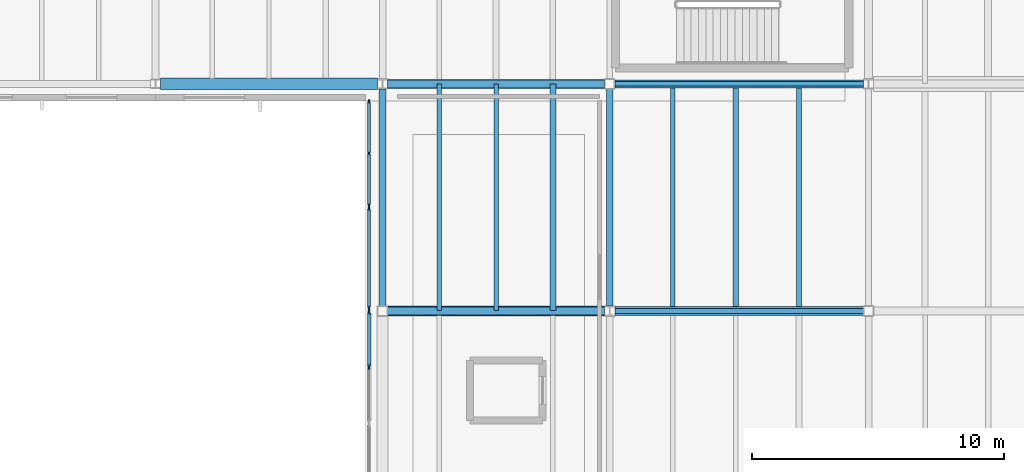
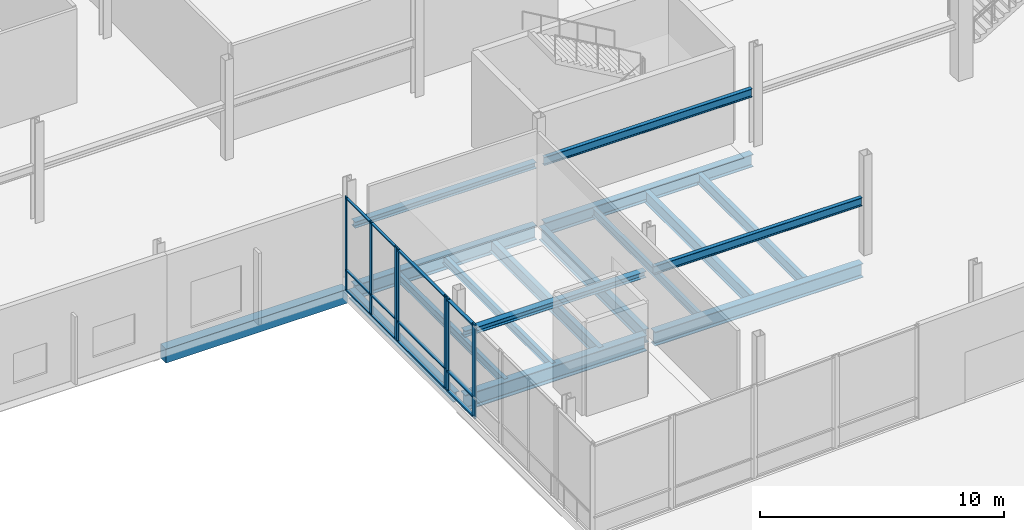
# One storey, part 24 of 88: 19 members, 17 beams, 3 elements without a shape of their own.
"""IFC4 building model written with IfcOpenShell, lengths in metres."""

from ifc_helpers import new_model, si_unit, direction, frame, origin, origin_2d, place, context, subcontext, project, spatial, rectangle, i_section, extrude, material, material_profile, profile_set, type_object, element, aggregate, save


model = new_model("IFC4")

# Units and contexts
model_context = context("Model", 3, precision=1e-05, world=origin(), true_north=direction((0.0, 1.0)))
body_context = subcontext(model_context, "Body", "Model", "MODEL_VIEW")
ifc_project = project(units=[si_unit("LENGTHUNIT", "METRE"), si_unit("AREAUNIT", "SQUARE_METRE"), si_unit("VOLUMEUNIT", "CUBIC_METRE"), si_unit("PLANEANGLEUNIT", "RADIAN"), si_unit("MASSUNIT", "GRAM", prefix="KILO")], contexts=[model_context])

# Site, building, storey
site_placement = place(None, origin())
site = spatial("IfcSite", under=ifc_project, at=site_placement, CompositionType="ELEMENT")
building_placement = place(site_placement, origin())
building = spatial("IfcBuilding", under=site, at=building_placement, Name="Trimount Lyric Opera House", CompositionType="ELEMENT")
storey_placement = place(building_placement, origin())
storey = spatial("IfcBuildingStorey", under=building, at=storey_placement, Name="L00", CompositionType="ELEMENT", Elevation=0.0)

# Beams
ifc_material_1 = material(Name="Steel ASTM A992 Grade 50", Category="steel")
ifc_material_profile_1 = material_profile(ifc_material_1, i_section(OverallWidth=0.382080078125, OverallDepth=0.779052734375, WebThickness=0.01806640625, FlangeThickness=0.0302734375, FilletRadius=0.01904296875, at=origin_2d()), Name="W30X191")
ifc_profile_set_1 = profile_set([ifc_material_profile_1], Name="Steel ASTM A992 Grade 50")
beam_type_1 = type_object("IfcBeamType", Name="B-06", PredefinedType="BEAM", material=ifc_profile_set_1)
beam_1_placement = place(storey_placement, frame((45.203125, 35.0, -0.76953125), z_axis=(1.0, 0.0, 0.0), x_axis=(0.0, 1.0, 0.0)))
element("IfcBeam", 1, at=beam_1_placement, inside=storey, type_object=beam_type_1, Name="L00 girder X-0070", PredefinedType="BEAM", context=body_context, shape_type="SweptSolid", body=[
    extrude(i_section(OverallWidth=0.382080078125, OverallDepth=0.779052734375, WebThickness=0.01806640625, FlangeThickness=0.0302734375, FilletRadius=0.01904296875, at=origin_2d()), origin(), (0.0, 0.0, 1.0), 8.593994140625),
])
ifc_material_2 = material(Name="Steel ASTM A992 Grade 50", Category="steel")
ifc_material_profile_2 = material_profile(ifc_material_2, i_section(OverallWidth=0.35595703125, OverallDepth=0.700927734375, WebThickness=0.016845703125, FlangeThickness=0.02734375, FilletRadius=0.01806640625, at=origin_2d()), Name="W27X161")
ifc_profile_set_2 = profile_set([ifc_material_profile_2], Name="Steel ASTM A992 Grade 50")
beam_type_2 = type_object("IfcBeamType", Name="B-08", PredefinedType="BEAM", material=ifc_profile_set_2)
beam_2_placement = place(storey_placement, frame((54.202880859375, 35.0, -0.73046875), z_axis=(1.0, 0.0, 0.0), x_axis=(0.0, 1.0, 0.0)))
element("IfcBeam", 2, at=beam_2_placement, inside=storey, type_object=beam_type_2, Name="L00 girder X-0071", PredefinedType="BEAM", context=body_context, shape_type="SweptSolid", body=[
    extrude(i_section(OverallWidth=0.35595703125, OverallDepth=0.700927734375, WebThickness=0.016845703125, FlangeThickness=0.02734375, FilletRadius=0.01806640625, at=origin_2d()), origin(), (0.0, 0.0, 1.0), 9.85400390625),
])
beam_3_placement = place(storey_placement, frame((45.202880859375, 44.0, -0.700439453125), z_axis=(1.0, 0.0, 0.0), x_axis=(0.0, 1.0, 0.0)))
element("IfcBeam", 3, at=beam_3_placement, inside=storey, type_object=beam_type_2, Name="L00 girder X-0089", PredefinedType="BEAM", context=body_context, shape_type="SweptSolid", body=[
    extrude(i_section(OverallWidth=0.35595703125, OverallDepth=0.700927734375, WebThickness=0.016845703125, FlangeThickness=0.02734375, FilletRadius=0.01806640625, at=origin_2d()), origin(), (0.0, 0.0, 1.0), 8.593994140625),
])
ifc_material_3 = material(Name="Steel ASTM A992 Grade 50", Category="steel")
ifc_material_profile_3 = material_profile(ifc_material_3, i_section(OverallWidth=0.25390625, OverallDepth=0.68798828125, WebThickness=0.01318359375, FlangeThickness=0.02099609375, FilletRadius=0.01611328125, at=origin_2d()), Name="W27X102")
ifc_profile_set_3 = profile_set([ifc_material_profile_3], Name="Steel ASTM A992 Grade 50")
beam_type_3 = type_object("IfcBeamType", Name="B-09", PredefinedType="BEAM", material=ifc_profile_set_3)
beam_4_placement = place(storey_placement, frame((54.0, 35.20849609375, -0.72412109375), z_axis=(0.0, 1.0, 0.0), x_axis=(-1.0, 0.0, 0.0)))
element("IfcBeam", 4, at=beam_4_placement, inside=storey, type_object=beam_type_3, Name="L00 girder Y-0300", PredefinedType="BEAM", context=body_context, shape_type="SweptSolid", body=[
    extrude(i_section(OverallWidth=0.25390625, OverallDepth=0.68798828125, WebThickness=0.01318359375, FlangeThickness=0.02099609375, FilletRadius=0.01611328125, at=origin_2d()), origin(), (0.0, 0.0, 1.0), 8.58837890625),
])
ifc_material_4 = material(Name="Steel ASTM A992 Grade 50", Category="steel")
ifc_material_profile_4 = material_profile(ifc_material_4, i_section(OverallWidth=0.327880859375, OverallDepth=0.626953125, WebThickness=0.0166015625, FlangeThickness=0.027587890625, FilletRadius=0.01611328125, at=origin_2d()), Name="W24X146")
ifc_profile_set_4 = profile_set([ifc_material_profile_4], Name="Steel ASTM A992 Grade 50")
beam_type_4 = type_object("IfcBeamType", Name="B-10", PredefinedType="BEAM", material=ifc_profile_set_4)
beam_5_placement = place(storey_placement, frame((54.203125, 44.0, -0.693603515625), z_axis=(1.0, 0.0, 0.0), x_axis=(0.0, 1.0, 0.0)))
element("IfcBeam", 5, at=beam_5_placement, inside=storey, type_object=beam_type_4, Name="L00 girder X-0090", PredefinedType="BEAM", context=body_context, shape_type="SweptSolid", body=[
    extrude(i_section(OverallWidth=0.327880859375, OverallDepth=0.626953125, WebThickness=0.0166015625, FlangeThickness=0.027587890625, FilletRadius=0.01611328125, at=origin_2d()), origin(), (0.0, 0.0, 1.0), 9.853759765625),
])
ifc_material_5 = material(Name="Steel ASTM A992 Grade 50", Category="steel")
ifc_material_profile_5 = material_profile(ifc_material_5, i_section(OverallWidth=0.22802734375, OverallDepth=0.60205078125, WebThickness=0.010498046875, FlangeThickness=0.014892578125, FilletRadius=0.012939453125, at=origin_2d()), Name="W24X68")
ifc_profile_set_5 = profile_set([ifc_material_profile_5], Name="Steel ASTM A992 Grade 50")
beam_type_5 = type_object("IfcBeamType", Name="J-01", PredefinedType="BEAM", material=ifc_profile_set_5)
beam_6_placement = place(storey_placement, frame((51.75, 35.011962890625, -0.680908203125), z_axis=(0.0, 1.0, 0.0), x_axis=(-1.0, 0.0, 0.0)))
element("IfcBeam", 6, at=beam_6_placement, inside=storey, type_object=beam_type_5, Name="L00 composite floor joist 0129", PredefinedType="BEAM", context=body_context, shape_type="SweptSolid", body=[
    extrude(i_section(OverallWidth=0.22802734375, OverallDepth=0.60205078125, WebThickness=0.010498046875, FlangeThickness=0.014892578125, FilletRadius=0.012939453125, at=origin_2d()), origin(), (0.0, 0.0, 1.0), 8.97607421875),
])
beam_7_placement = place(storey_placement, frame((59.0, 35.174072265625, -0.680908203125), z_axis=(0.0, 1.0, 0.0), x_axis=(-1.0, 0.0, 0.0)))
element("IfcBeam", 7, at=beam_7_placement, inside=storey, type_object=beam_type_5, Name="L00 composite floor joist 0167", PredefinedType="BEAM", context=body_context, shape_type="SweptSolid", body=[
    extrude(i_section(OverallWidth=0.22802734375, OverallDepth=0.60205078125, WebThickness=0.010498046875, FlangeThickness=0.014892578125, FilletRadius=0.012939453125, at=origin_2d()), origin(), (0.0, 0.0, 1.0), 8.666015625),
])
ifc_material_6 = material(Name="Steel ASTM A992 Grade 50", Category="steel")
ifc_material_profile_6 = material_profile(ifc_material_6, i_section(OverallWidth=0.2099609375, OverallDepth=0.532958984375, WebThickness=0.01025390625, FlangeThickness=0.015625, FilletRadius=0.012939453125, at=origin_2d()), Name="W21X62")
ifc_profile_set_6 = profile_set([ifc_material_profile_6], Name="Steel ASTM A992 Grade 50")
beam_type_6 = type_object("IfcBeamType", Name="J-02", PredefinedType="BEAM", material=ifc_profile_set_6)
beam_8_placement = place(storey_placement, frame((61.5, 35.174072265625, -0.646484375), z_axis=(0.0, 1.0, 0.0), x_axis=(-1.0, 0.0, 0.0)))
element("IfcBeam", 8, at=beam_8_placement, inside=storey, type_object=beam_type_6, Name="L00 composite floor joist 0168", PredefinedType="BEAM", context=body_context, shape_type="SweptSolid", body=[
    extrude(i_section(OverallWidth=0.2099609375, OverallDepth=0.532958984375, WebThickness=0.01025390625, FlangeThickness=0.015625, FilletRadius=0.012939453125, at=origin_2d()), origin(), (0.0, 0.0, 1.0), 8.666015625),
])
ifc_material_7 = material(Name="Steel ASTM A992 Grade 50", Category="steel")
ifc_material_profile_7 = material_profile(ifc_material_7, i_section(OverallWidth=0.180908203125, OverallDepth=0.4169921875, WebThickness=0.010986328125, FlangeThickness=0.018310546875, FilletRadius=0.010986328125, at=origin_2d()), Name="W16X57")
ifc_profile_set_7 = profile_set([ifc_material_profile_7], Name="Steel ASTM A992 Grade 50")
beam_type_7 = type_object("IfcBeamType", Name="J-05", PredefinedType="BEAM", material=ifc_profile_set_7)
beam_9_placement = place(storey_placement, frame((47.25, 35.011962890625, -0.58837890625), z_axis=(0.0, 1.0, 0.0), x_axis=(-1.0, 0.0, 0.0)))
element("IfcBeam", 9, at=beam_9_placement, inside=storey, type_object=beam_type_7, Name="L00 composite floor joist 0127", PredefinedType="BEAM", context=body_context, shape_type="SweptSolid", body=[
    extrude(i_section(OverallWidth=0.180908203125, OverallDepth=0.4169921875, WebThickness=0.010986328125, FlangeThickness=0.018310546875, FilletRadius=0.010986328125, at=origin_2d()), origin(), (0.0, 0.0, 1.0), 8.97607421875),
])
ifc_material_8 = material(Name="Steel ASTM A992 Grade 50", Category="steel")
ifc_material_profile_8 = material_profile(ifc_material_8, i_section(OverallWidth=0.177978515625, OverallDepth=0.404052734375, WebThickness=0.007568359375, FlangeThickness=0.010986328125, FilletRadius=0.010009765625, at=origin_2d()), Name="W16X36")
ifc_profile_set_8 = profile_set([ifc_material_profile_8], Name="Steel ASTM A992 Grade 50")
beam_type_8 = type_object("IfcBeamType", Name="J-06", PredefinedType="BEAM", material=ifc_profile_set_8)
beam_10_placement = place(storey_placement, frame((49.5, 35.011962890625, -0.58203125), z_axis=(0.0, 1.0, 0.0), x_axis=(-1.0, 0.0, 0.0)))
element("IfcBeam", 10, at=beam_10_placement, inside=storey, type_object=beam_type_8, Name="L00 composite floor joist 0128", PredefinedType="BEAM", context=body_context, shape_type="SweptSolid", body=[
    extrude(i_section(OverallWidth=0.177978515625, OverallDepth=0.404052734375, WebThickness=0.007568359375, FlangeThickness=0.010986328125, FilletRadius=0.010009765625, at=origin_2d()), origin(), (0.0, 0.0, 1.0), 8.97607421875),
])
beam_11_placement = place(storey_placement, frame((56.5, 35.174072265625, -0.58203125), z_axis=(0.0, 1.0, 0.0), x_axis=(-1.0, 0.0, 0.0)))
element("IfcBeam", 11, at=beam_11_placement, inside=storey, type_object=beam_type_8, Name="L00 composite floor joist 0166", PredefinedType="BEAM", context=body_context, shape_type="SweptSolid", body=[
    extrude(i_section(OverallWidth=0.177978515625, OverallDepth=0.404052734375, WebThickness=0.007568359375, FlangeThickness=0.010986328125, FilletRadius=0.010009765625, at=origin_2d()), origin(), (0.0, 0.0, 1.0), 8.666015625),
])
ifc_material_9 = material(Name="Steel ASTM A992 Grade 50", Category="steel")
ifc_material_profile_9 = material_profile(ifc_material_9, i_section(OverallWidth=0.304931640625, OverallDepth=0.306884765625, WebThickness=0.010009765625, FlangeThickness=0.015380859375, FilletRadius=0.012939453125, at=origin_2d()), Name="W12X65")
ifc_profile_set_9 = profile_set([ifc_material_profile_9], Name="Steel ASTM A992 Grade 50")
beam_type_9 = type_object("IfcBeamType", Name="LN-01", PredefinedType="LINTEL", material=ifc_profile_set_9)
for number, where, z_axis, x_axis, name in (
    (12, (45.203125, 35.0, 2.64990234375), (1.0, 0.0, 0.0), (0.0, 1.0, 0.0), "L00 interior portal lintel 03"),
    (13, (45.202880859375, 44.0, 2.64990234375), (1.0, 0.0, 0.0), (0.0, 1.0, 0.0), "L00 interior portal lintel 05"),
):
    element("IfcBeam", number, at=place(storey_placement, frame(where, z_axis=z_axis, x_axis=x_axis)), inside=storey, type_object=beam_type_9, Name=name, PredefinedType="LINTEL", context=body_context, shape_type="SweptSolid", body=[
        extrude(i_section(OverallWidth=0.304931640625, OverallDepth=0.306884765625, WebThickness=0.010009765625, FlangeThickness=0.015380859375, FilletRadius=0.012939453125, at=origin_2d()), origin(), (0.0, 0.0, 1.0), 8.593994140625),
    ])
ifc_material_10 = material(Name="Steel ASTM A992 Grade 50", Category="steel")
ifc_material_profile_10 = material_profile(ifc_material_10, i_section(OverallWidth=0.180908203125, OverallDepth=0.4169921875, WebThickness=0.010986328125, FlangeThickness=0.018310546875, FilletRadius=0.010986328125, at=origin_2d()), Name="W16X57")
ifc_profile_set_10 = profile_set([ifc_material_profile_10], Name="Steel ASTM A992 Grade 50")
beam_type_10 = type_object("IfcBeamType", Name="LN-02", PredefinedType="LINTEL", material=ifc_profile_set_10)
beam_12_placement = place(storey_placement, frame((54.202880859375, 35.0, 2.64990234375), z_axis=(1.0, 0.0, 0.0), x_axis=(0.0, 1.0, 0.0)))
element("IfcBeam", 14, at=beam_12_placement, inside=storey, type_object=beam_type_10, Name="L00 interior portal lintel 04", PredefinedType="LINTEL", context=body_context, shape_type="SweptSolid", body=[
    extrude(i_section(OverallWidth=0.180908203125, OverallDepth=0.4169921875, WebThickness=0.010986328125, FlangeThickness=0.018310546875, FilletRadius=0.010986328125, at=origin_2d()), origin(), (0.0, 0.0, 1.0), 9.85400390625),
])
beam_13_placement = place(storey_placement, frame((54.203125, 44.0, 2.64990234375), z_axis=(1.0, 0.0, 0.0), x_axis=(0.0, 1.0, 0.0)))
element("IfcBeam", 15, at=beam_13_placement, inside=storey, type_object=beam_type_10, Name="L00 interior portal lintel 06", PredefinedType="LINTEL", context=body_context, shape_type="SweptSolid", body=[
    extrude(i_section(OverallWidth=0.180908203125, OverallDepth=0.4169921875, WebThickness=0.010986328125, FlangeThickness=0.018310546875, FilletRadius=0.010986328125, at=origin_2d()), origin(), (0.0, 0.0, 1.0), 9.853759765625),
])

# Curtain wall, members
ifc_material_11 = material(Name="Thermally Broken Aluminium and Low-E Glass", Category="aluminium")
curtain_wall_type = type_object("IfcCurtainWallType", Name="CW-01", PredefinedType="NOTDEFINED", material=ifc_material_11)
curtain_wall_1_placement = place(storey_placement, origin())
curtain_wall_1 = element("IfcCurtainWall", 16, at=curtain_wall_1_placement, inside=storey, type_object=curtain_wall_type, Name="L00 curtain wall 030", PredefinedType="NOTDEFINED")
ifc_material_12 = material(Name="Anodised Aluminium 6063-T6", Category="aluminium")
ifc_material_profile_11 = material_profile(ifc_material_12, rectangle(XDim=0.070068359375, YDim=0.219970703125, at=origin_2d()), Name="ALU-MULL-70X220")
ifc_profile_set_11 = profile_set([ifc_material_profile_11], Name="Anodised Aluminium 6063-T6")
member_type_1 = type_object("IfcMemberType", Name="ML-01", PredefinedType="MULLION", material=ifc_profile_set_11)
member_1_placement = place(storey_placement, frame((44.4599609375, 32.794921875, 0.0), z_axis=(0.0, 0.0, 1.0), x_axis=(-1.0, 0.0, 0.0)))
member_1 = element("IfcMember", 17, at=member_1_placement, type_object=member_type_1, Name="CW-01 mullion 2", PredefinedType="MULLION", context=body_context, shape_type="SweptSolid", body=[
    extrude(rectangle(XDim=0.070068359375, YDim=0.219970703125, at=origin_2d()), origin(), (0.0, 0.0, 1.0), 4.699951171875),
])
member_2_placement = place(storey_placement, frame((44.4599609375, 34.965087890625, 0.0), z_axis=(0.0, 0.0, 1.0), x_axis=(-1.0, 0.0, 0.0)))
member_2 = element("IfcMember", 18, at=member_2_placement, type_object=member_type_1, Name="CW-01 mullion 3", PredefinedType="MULLION", context=body_context, shape_type="SweptSolid", body=[
    extrude(rectangle(XDim=0.070068359375, YDim=0.219970703125, at=origin_2d()), origin(), (0.0, 0.0, 1.0), 4.699951171875),
])

curtain_wall_2_placement = place(storey_placement, origin())
curtain_wall_2 = element("IfcCurtainWall", 19, at=curtain_wall_2_placement, inside=storey, type_object=curtain_wall_type, Name="L00 curtain wall 031", PredefinedType="NOTDEFINED")
ifc_material_13 = material(Name="Anodised Aluminium 6063-T6", Category="aluminium")
ifc_material_profile_12 = material_profile(ifc_material_13, rectangle(XDim=0.06494140625, YDim=0.179931640625, at=origin_2d()), Name="ALU-MULL-65X180")
ifc_profile_set_12 = profile_set([ifc_material_profile_12], Name="Anodised Aluminium 6063-T6")
member_type_2 = type_object("IfcMemberType", Name="ML-02", PredefinedType="MULLION", material=ifc_profile_set_12)
member_3_placement = place(storey_placement, frame((44.4599609375, 35.12255859375, 0.0), z_axis=(0.0, 0.0, 1.0), x_axis=(-1.0, 0.0, 0.0)))
member_3 = element("IfcMember", 20, at=member_3_placement, type_object=member_type_2, Name="CW-01 mullion 1", PredefinedType="MULLION", context=body_context, shape_type="SweptSolid", body=[
    extrude(rectangle(XDim=0.06494140625, YDim=0.179931640625, at=origin_2d()), origin(), (0.0, 0.0, 1.0), 4.699951171875),
])
member_4_placement = place(storey_placement, frame((44.4599609375, 39.047607421875, 0.0), z_axis=(0.0, 0.0, 1.0), x_axis=(-1.0, 0.0, 0.0)))
member_4 = element("IfcMember", 21, at=member_4_placement, type_object=member_type_2, Name="CW-01 mullion 2", PredefinedType="MULLION", context=body_context, shape_type="SweptSolid", body=[
    extrude(rectangle(XDim=0.06494140625, YDim=0.179931640625, at=origin_2d()), origin(), (0.0, 0.0, 1.0), 4.699951171875),
])

curtain_wall_3_placement = place(storey_placement, origin())
curtain_wall_3 = element("IfcCurtainWall", 22, at=curtain_wall_3_placement, inside=storey, type_object=curtain_wall_type, Name="L00 curtain wall 032", PredefinedType="NOTDEFINED")
ifc_material_14 = material(Name="Anodised Aluminium 6063-T6", Category="aluminium")
ifc_material_profile_13 = material_profile(ifc_material_14, rectangle(XDim=0.06005859375, YDim=0.14990234375, at=origin_2d()), Name="ALU-MULL-60X150")
ifc_profile_set_13 = profile_set([ifc_material_profile_13], Name="Anodised Aluminium 6063-T6")
member_type_3 = type_object("IfcMemberType", Name="ML-03", PredefinedType="MULLION", material=ifc_profile_set_13)
member_5_placement = place(storey_placement, frame((44.4599609375, 39.199951171875, 0.0), z_axis=(0.0, 0.0, 1.0), x_axis=(-1.0, 0.0, 0.0)))
member_5 = element("IfcMember", 23, at=member_5_placement, type_object=member_type_3, Name="CW-01 mullion 1", PredefinedType="MULLION", context=body_context, shape_type="SweptSolid", body=[
    extrude(rectangle(XDim=0.06005859375, YDim=0.14990234375, at=origin_2d()), origin(), (0.0, 0.0, 1.0), 4.699951171875),
])
member_6_placement = place(storey_placement, frame((44.4599609375, 41.2451171875, 0.0), z_axis=(0.0, 0.0, 1.0), x_axis=(-1.0, 0.0, 0.0)))
member_6 = element("IfcMember", 24, at=member_6_placement, type_object=member_type_3, Name="CW-01 mullion 2", PredefinedType="MULLION", context=body_context, shape_type="SweptSolid", body=[
    extrude(rectangle(XDim=0.06005859375, YDim=0.14990234375, at=origin_2d()), origin(), (0.0, 0.0, 1.0), 4.699951171875),
])
member_7_placement = place(storey_placement, frame((44.4599609375, 43.2900390625, 0.0), z_axis=(0.0, 0.0, 1.0), x_axis=(-1.0, 0.0, 0.0)))
member_7 = element("IfcMember", 25, at=member_7_placement, type_object=member_type_3, Name="CW-01 mullion 3", PredefinedType="MULLION", context=body_context, shape_type="SweptSolid", body=[
    extrude(rectangle(XDim=0.06005859375, YDim=0.14990234375, at=origin_2d()), origin(), (0.0, 0.0, 1.0), 4.699951171875),
])

# Beams
ifc_material_15 = material(Name="Steel ASTM A992 Grade 50", Category="steel")
ifc_material_profile_14 = material_profile(ifc_material_15, i_section(OverallWidth=0.281982421875, OverallDepth=0.467041015625, WebThickness=0.01220703125, FlangeThickness=0.01953125, FilletRadius=0.012939453125, at=origin_2d()), Name="W18X86")
ifc_profile_set_14 = profile_set([ifc_material_profile_14], Name="Steel ASTM A992 Grade 50")
beam_type_11 = type_object("IfcBeamType", Name="SP-01", PredefinedType="SPANDREL", material=ifc_profile_set_14)
beam_14_placement = place(storey_placement, frame((45.0, 35.203125, -0.613525390625), z_axis=(0.0, 1.0, 0.0), x_axis=(-1.0, 0.0, 0.0)))
element("IfcBeam", 26, at=beam_14_placement, inside=storey, type_object=beam_type_11, Name="L00 girder Y-0287", PredefinedType="SPANDREL", context=body_context, shape_type="SweptSolid", body=[
    extrude(i_section(OverallWidth=0.281982421875, OverallDepth=0.467041015625, WebThickness=0.01220703125, FlangeThickness=0.01953125, FilletRadius=0.012939453125, at=origin_2d()), origin(), (0.0, 0.0, 1.0), 8.58837890625),
])
ifc_material_16 = material(Name="Concrete C40/50", Category="concrete")
ifc_material_profile_15 = material_profile(ifc_material_16, rectangle(XDim=0.449951171875, YDim=0.699951171875, at=origin_2d()), Name="RC450X700")
ifc_profile_set_15 = profile_set([ifc_material_profile_15], Name="Concrete C40/50")
beam_type_12 = type_object("IfcBeamType", Name="SP-02", PredefinedType="SPANDREL", material=ifc_profile_set_15)
beam_15_placement = place(storey_placement, frame((36.203125, 44.0, -0.699951171875), z_axis=(1.0, 0.0, 0.0), x_axis=(0.0, 1.0, 0.0)))
element("IfcBeam", 27, at=beam_15_placement, inside=storey, type_object=beam_type_12, Name="L00 girder X-0088", PredefinedType="SPANDREL", context=body_context, shape_type="SweptSolid", body=[
    extrude(rectangle(XDim=0.449951171875, YDim=0.699951171875, at=origin_2d()), origin(), (0.0, 0.0, 1.0), 8.593994140625),
])

# Member
ifc_material_17 = material(Name="Anodised Aluminium 6063-T6", Category="aluminium")
ifc_material_profile_16 = material_profile(ifc_material_17, rectangle(XDim=0.159912109375, YDim=0.070068359375, at=origin_2d()), Name="ALU-TRAN-70X160")
ifc_profile_set_16 = profile_set([ifc_material_profile_16], Name="Anodised Aluminium 6063-T6")
member_type_4 = type_object("IfcMemberType", Name="TR-01", PredefinedType="USERDEFINED", material=ifc_profile_set_16)
member_8_placement = place(storey_placement, frame((44.4599609375, 32.830078125, 0.080078125), z_axis=(0.0, 1.0, 0.0), x_axis=(-1.0, 0.0, 0.0)))
member_8 = element("IfcMember", 28, at=member_8_placement, type_object=member_type_4, Name="CW-01 transom 2.1", ObjectType="TRANSOM", PredefinedType="USERDEFINED", context=body_context, shape_type="SweptSolid", body=[
    extrude(rectangle(XDim=0.159912109375, YDim=0.070068359375, at=origin_2d()), origin(), (0.0, 0.0, 1.0), 2.099853515625),
])

member_9_placement = place(storey_placement, frame((44.4599609375, 32.830078125, 1.050048828125), z_axis=(0.0, 1.0, 0.0), x_axis=(-1.0, 0.0, 0.0)))
member_9 = element("IfcMember", 29, at=member_9_placement, type_object=member_type_4, Name="CW-01 transom 2.2", ObjectType="TRANSOM", PredefinedType="USERDEFINED", context=body_context, shape_type="SweptSolid", body=[
    extrude(rectangle(XDim=0.159912109375, YDim=0.070068359375, at=origin_2d()), origin(), (0.0, 0.0, 1.0), 2.099853515625),
])

member_10_placement = place(storey_placement, frame((44.4599609375, 32.830078125, 4.6201171875), z_axis=(0.0, 1.0, 0.0), x_axis=(-1.0, 0.0, 0.0)))
member_10 = element("IfcMember", 30, at=member_10_placement, type_object=member_type_4, Name="CW-01 transom 2.3", ObjectType="TRANSOM", PredefinedType="USERDEFINED", context=body_context, shape_type="SweptSolid", body=[
    extrude(rectangle(XDim=0.159912109375, YDim=0.070068359375, at=origin_2d()), origin(), (0.0, 0.0, 1.0), 2.099853515625),
])

aggregate(curtain_wall_1, [member_1, member_2, member_8, member_9, member_10])

ifc_material_18 = material(Name="Anodised Aluminium 6063-T6", Category="aluminium")
ifc_material_profile_17 = material_profile(ifc_material_18, rectangle(XDim=0.135009765625, YDim=0.06494140625, at=origin_2d()), Name="ALU-TRAN-65X135")
ifc_profile_set_17 = profile_set([ifc_material_profile_17], Name="Anodised Aluminium 6063-T6")
member_type_5 = type_object("IfcMemberType", Name="TR-02", PredefinedType="USERDEFINED", material=ifc_profile_set_17)
member_11_placement = place(storey_placement, frame((44.4599609375, 35.155029296875, 0.0673828125), z_axis=(0.0, 1.0, 0.0), x_axis=(-1.0, 0.0, 0.0)))
member_11 = element("IfcMember", 31, at=member_11_placement, type_object=member_type_5, Name="CW-01 transom 1.1", ObjectType="TRANSOM", PredefinedType="USERDEFINED", context=body_context, shape_type="SweptSolid", body=[
    extrude(rectangle(XDim=0.135009765625, YDim=0.06494140625, at=origin_2d()), origin(), (0.0, 0.0, 1.0), 3.85986328125),
])

member_12_placement = place(storey_placement, frame((44.4599609375, 35.155029296875, 1.050048828125), z_axis=(0.0, 1.0, 0.0), x_axis=(-1.0, 0.0, 0.0)))
member_12 = element("IfcMember", 32, at=member_12_placement, type_object=member_type_5, Name="CW-01 transom 1.2", ObjectType="TRANSOM", PredefinedType="USERDEFINED", context=body_context, shape_type="SweptSolid", body=[
    extrude(rectangle(XDim=0.135009765625, YDim=0.06494140625, at=origin_2d()), origin(), (0.0, 0.0, 1.0), 3.85986328125),
])

member_13_placement = place(storey_placement, frame((44.4599609375, 35.155029296875, 4.632568359375), z_axis=(0.0, 1.0, 0.0), x_axis=(-1.0, 0.0, 0.0)))
member_13 = element("IfcMember", 33, at=member_13_placement, type_object=member_type_5, Name="CW-01 transom 1.3", ObjectType="TRANSOM", PredefinedType="USERDEFINED", context=body_context, shape_type="SweptSolid", body=[
    extrude(rectangle(XDim=0.135009765625, YDim=0.06494140625, at=origin_2d()), origin(), (0.0, 0.0, 1.0), 3.85986328125),
])

aggregate(curtain_wall_2, [member_3, member_4, member_11, member_12, member_13])

ifc_material_19 = material(Name="Anodised Aluminium 6063-T6", Category="aluminium")
ifc_material_profile_18 = material_profile(ifc_material_19, rectangle(XDim=0.114990234375, YDim=0.06005859375, at=origin_2d()), Name="ALU-TRAN-60X115")
ifc_profile_set_18 = profile_set([ifc_material_profile_18], Name="Anodised Aluminium 6063-T6")
member_type_6 = type_object("IfcMemberType", Name="TR-03", PredefinedType="USERDEFINED", material=ifc_profile_set_18)
member_14_placement = place(storey_placement, frame((44.4599609375, 39.22998046875, 0.0576171875), z_axis=(0.0, 1.0, 0.0), x_axis=(-1.0, 0.0, 0.0)))
member_14 = element("IfcMember", 34, at=member_14_placement, type_object=member_type_6, Name="CW-01 transom 1.1", ObjectType="TRANSOM", PredefinedType="USERDEFINED", context=body_context, shape_type="SweptSolid", body=[
    extrude(rectangle(XDim=0.114990234375, YDim=0.06005859375, at=origin_2d()), origin(), (0.0, 0.0, 1.0), 1.985107421875),
])

member_15_placement = place(storey_placement, frame((44.4599609375, 39.22998046875, 1.050048828125), z_axis=(0.0, 1.0, 0.0), x_axis=(-1.0, 0.0, 0.0)))
member_15 = element("IfcMember", 35, at=member_15_placement, type_object=member_type_6, Name="CW-01 transom 1.2", ObjectType="TRANSOM", PredefinedType="USERDEFINED", context=body_context, shape_type="SweptSolid", body=[
    extrude(rectangle(XDim=0.114990234375, YDim=0.06005859375, at=origin_2d()), origin(), (0.0, 0.0, 1.0), 1.985107421875),
])

member_16_placement = place(storey_placement, frame((44.4599609375, 39.22998046875, 4.642578125), z_axis=(0.0, 1.0, 0.0), x_axis=(-1.0, 0.0, 0.0)))
member_16 = element("IfcMember", 36, at=member_16_placement, type_object=member_type_6, Name="CW-01 transom 1.3", ObjectType="TRANSOM", PredefinedType="USERDEFINED", context=body_context, shape_type="SweptSolid", body=[
    extrude(rectangle(XDim=0.114990234375, YDim=0.06005859375, at=origin_2d()), origin(), (0.0, 0.0, 1.0), 1.985107421875),
])

member_17_placement = place(storey_placement, frame((44.4599609375, 41.27490234375, 0.0576171875), z_axis=(0.0, 1.0, 0.0), x_axis=(-1.0, 0.0, 0.0)))
member_17 = element("IfcMember", 37, at=member_17_placement, type_object=member_type_6, Name="CW-01 transom 2.1", ObjectType="TRANSOM", PredefinedType="USERDEFINED", context=body_context, shape_type="SweptSolid", body=[
    extrude(rectangle(XDim=0.114990234375, YDim=0.06005859375, at=origin_2d()), origin(), (0.0, 0.0, 1.0), 1.985107421875),
])

member_18_placement = place(storey_placement, frame((44.4599609375, 41.27490234375, 1.050048828125), z_axis=(0.0, 1.0, 0.0), x_axis=(-1.0, 0.0, 0.0)))
member_18 = element("IfcMember", 38, at=member_18_placement, type_object=member_type_6, Name="CW-01 transom 2.2", ObjectType="TRANSOM", PredefinedType="USERDEFINED", context=body_context, shape_type="SweptSolid", body=[
    extrude(rectangle(XDim=0.114990234375, YDim=0.06005859375, at=origin_2d()), origin(), (0.0, 0.0, 1.0), 1.985107421875),
])

member_19_placement = place(storey_placement, frame((44.4599609375, 41.27490234375, 4.642578125), z_axis=(0.0, 1.0, 0.0), x_axis=(-1.0, 0.0, 0.0)))
member_19 = element("IfcMember", 39, at=member_19_placement, type_object=member_type_6, Name="CW-01 transom 2.3", ObjectType="TRANSOM", PredefinedType="USERDEFINED", context=body_context, shape_type="SweptSolid", body=[
    extrude(rectangle(XDim=0.114990234375, YDim=0.06005859375, at=origin_2d()), origin(), (0.0, 0.0, 1.0), 1.985107421875),
])

aggregate(curtain_wall_3, [member_5, member_6, member_7, member_14, member_15, member_16, member_17, member_18, member_19])

save(model, "model.ifc")
